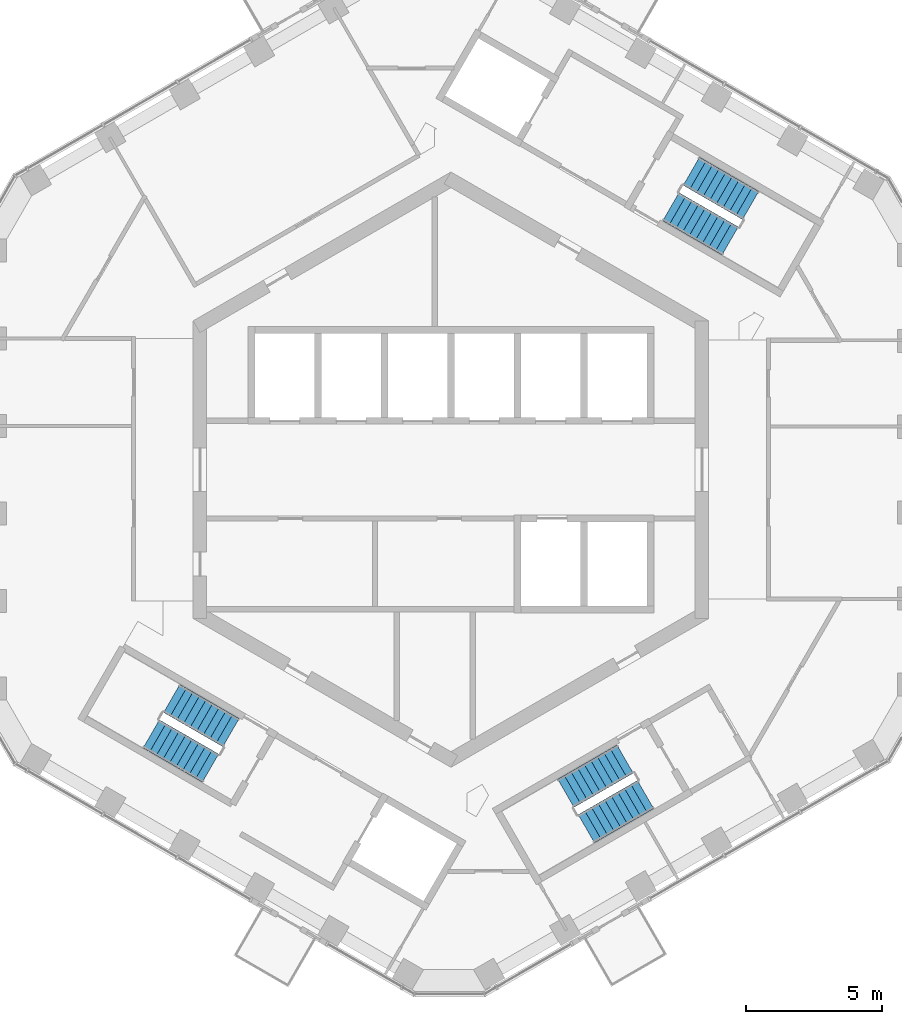
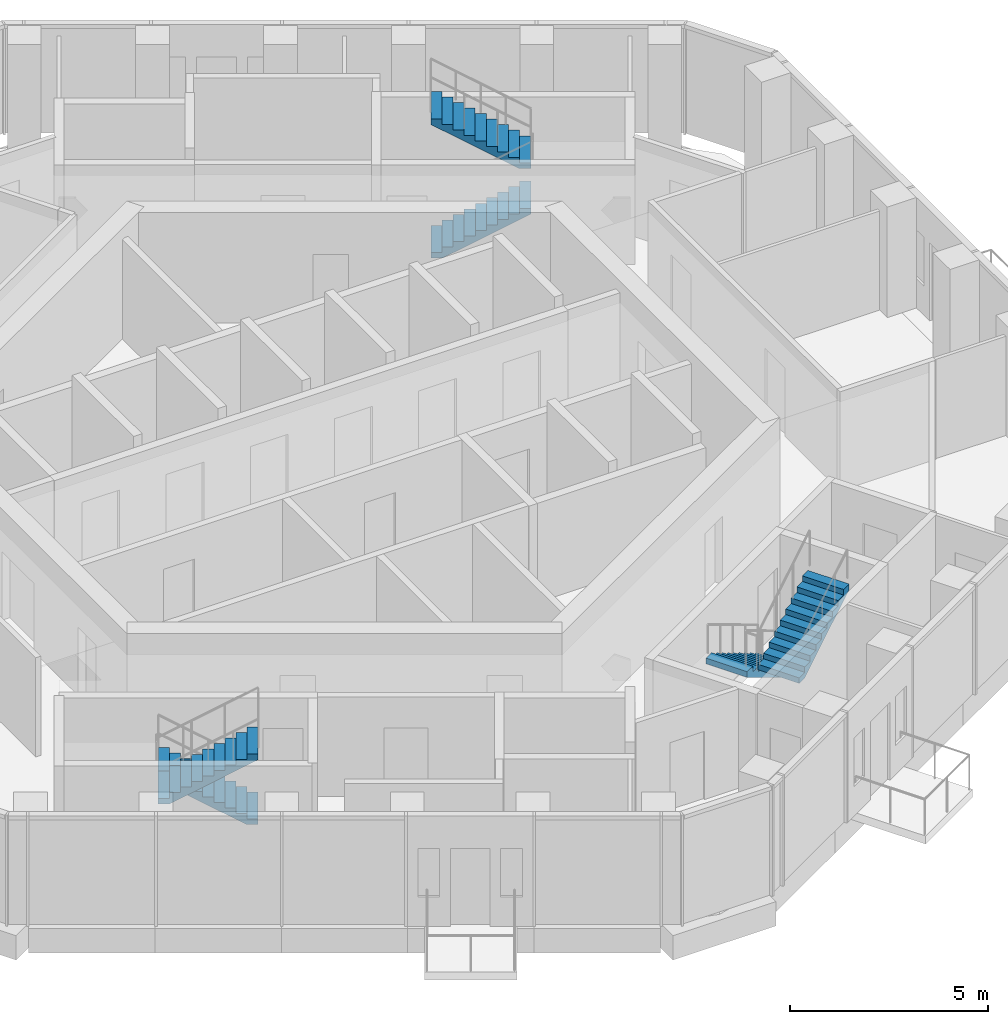
# One storey, part 17 of 19: 6 stair flights, 3 elements without a shape of their own.
"""IFC4 building model written with IfcOpenShell, lengths in metres."""

from ifc_helpers import new_model, si_unit, direction, frame, origin, place, context, subcontext, project, spatial, triangles, material, type_object, element, aggregate, save


model = new_model("IFC4")

# Units and contexts
model_context = context("Model", 3, precision=1e-05, world=origin(), true_north=direction((0.0, 1.0)))
body_context = subcontext(model_context, "Body", "Model", "MODEL_VIEW")
ifc_project = project(units=[si_unit("LENGTHUNIT", "METRE"), si_unit("AREAUNIT", "SQUARE_METRE"), si_unit("VOLUMEUNIT", "CUBIC_METRE"), si_unit("PLANEANGLEUNIT", "RADIAN"), si_unit("MASSUNIT", "GRAM", prefix="KILO")], contexts=[model_context])

# Site, building, storey
site_placement = place(None, origin())
site = spatial("IfcSite", under=ifc_project, at=site_placement, CompositionType="ELEMENT")
building_placement = place(site_placement, origin())
building = spatial("IfcBuilding", under=site, at=building_placement, Name="Ayvan Gate Tower", CompositionType="ELEMENT")
storey_placement = place(building_placement, frame((0.0, 0.0, 222.300048828125)))
storey = spatial("IfcBuildingStorey", under=building, at=storey_placement, Name="L59", CompositionType="ELEMENT", Elevation=222.300048828125)

# Stair, stair flights
ifc_material = material(Name="Concrete C40/50", Category="concrete")
stair_type = type_object("IfcStairType", Name="ST-EXIT", PredefinedType="HALF_TURN_STAIR", material=ifc_material)
stair_1_placement = place(storey_placement, origin())
stair_1 = element("IfcStair", 1, at=stair_1_placement, inside=storey, type_object=stair_type, Name="L59 Exit Stair S1", PredefinedType="HALF_TURN_STAIR")
stair_flight_type = type_object("IfcStairFlightType", Name="SFL-EXIT", PredefinedType="STRAIGHT", material=ifc_material)
stair_flight_1_placement = place(storey_placement, frame((8.106201171875, 9.690185546875, 0.0), z_axis=(0.0, 0.0, 1.0), x_axis=(0.866025403784, -0.5, 0.0)))
stair_flight_1 = element("IfcStairFlight", 2, at=stair_flight_1_placement, type_object=stair_flight_type, Name="STS1 flight 1", NumberOfRisers=10, NumberOfTreads=9, PredefinedType="STRAIGHT", RiserHeight=0.17, TreadLength=0.28, context=body_context, shape_type="Tessellation", body=[
    triangles([(0.288841, -0.599976, 0.0), (2.5205, -0.599976, 1.354936), (2.5205, -0.599976, 1.53), (2.24, -0.599976, 1.53), (2.24, -0.599976, 1.36), (1.96, -0.599976, 1.36), (1.96, -0.599976, 1.19), (1.68, -0.599976, 1.19), (1.68, -0.599976, 1.02), (1.4, -0.599976, 1.02), (1.4, -0.599976, 0.85), (1.12, -0.599976, 0.85), (1.12, -0.599976, 0.68), (0.84, -0.599976, 0.68), (0.84, -0.599976, 0.51), (0.56, -0.599976, 0.51), (0.56, -0.599976, 0.34), (0.28, -0.599976, 0.34), (0.28, -0.599976, 0.17), (-0.0005, -0.599976, 0.17), (-0.0005, -0.599976, 0.0), (0.288841, 0.0, 0.0), (2.5205, 0.0, 1.354936), (2.5205, 0.0, 1.53), (2.24, 0.0, 1.53), (2.24, 0.0, 1.36), (1.96, 0.0, 1.36), (1.96, 0.0, 1.19), (1.68, 0.0, 1.19), (1.68, 0.0, 1.02), (1.4, 0.0, 1.02), (1.4, 0.0, 0.85), (1.12, 0.0, 0.85), (1.12, 0.0, 0.68), (0.84, 0.0, 0.68), (0.84, 0.0, 0.51), (0.56, 0.0, 0.51), (0.56, 0.0, 0.34), (0.28, 0.0, 0.34), (0.28, 0.0, 0.17), (-0.0005, 0.0, 0.17), (-0.0005, 0.0, 0.0), (0.288841, 0.599976, 0.0), (2.5205, 0.599976, 1.354936), (2.5205, 0.599976, 1.53), (2.24, 0.599976, 1.53), (2.24, 0.599976, 1.36), (1.96, 0.599976, 1.36), (1.96, 0.599976, 1.19), (1.68, 0.599976, 1.19), (1.68, 0.599976, 1.02), (1.4, 0.599976, 1.02), (1.4, 0.599976, 0.85), (1.12, 0.599976, 0.85), (1.12, 0.599976, 0.68), (0.84, 0.599976, 0.68), (0.84, 0.599976, 0.51), (0.56, 0.599976, 0.51), (0.56, 0.599976, 0.34), (0.28, 0.599976, 0.34), (0.28, 0.599976, 0.17), (-0.0005, 0.599976, 0.17), (-0.0005, 0.599976, 0.0)], [[21, 1, 2], [63, 44, 43], [2, 3, 4], [44, 46, 45], [2, 4, 5], [44, 47, 46], [2, 5, 6], [44, 48, 47], [2, 6, 7], [44, 49, 48], [7, 8, 9], [49, 51, 50], [2, 7, 9], [44, 51, 49], [9, 10, 11], [51, 53, 52], [2, 9, 11], [44, 53, 51], [11, 12, 13], [53, 55, 54], [2, 11, 13], [44, 55, 53], [13, 14, 15], [55, 57, 56], [2, 13, 15], [44, 57, 55], [15, 16, 17], [57, 59, 58], [2, 15, 17], [44, 59, 57], [17, 18, 19], [59, 61, 60], [2, 17, 19], [44, 61, 59], [21, 2, 19], [63, 61, 44], [19, 20, 21], [61, 63, 62], [1, 22, 23], [1, 23, 2], [43, 23, 22], [43, 44, 23], [2, 23, 24], [2, 24, 3], [44, 24, 23], [44, 45, 24], [3, 24, 25], [3, 25, 4], [45, 25, 24], [45, 46, 25], [4, 25, 26], [4, 26, 5], [46, 26, 25], [46, 47, 26], [5, 26, 27], [5, 27, 6], [47, 27, 26], [47, 48, 27], [6, 27, 28], [6, 28, 7], [48, 28, 27], [48, 49, 28], [7, 28, 29], [7, 29, 8], [49, 29, 28], [49, 50, 29], [8, 29, 30], [8, 30, 9], [50, 30, 29], [50, 51, 30], [9, 30, 31], [9, 31, 10], [51, 31, 30], [51, 52, 31], [10, 31, 32], [10, 32, 11], [52, 32, 31], [52, 53, 32], [11, 32, 33], [11, 33, 12], [53, 33, 32], [53, 54, 33], [12, 33, 34], [12, 34, 13], [54, 34, 33], [54, 55, 34], [13, 34, 35], [13, 35, 14], [55, 35, 34], [55, 56, 35], [14, 35, 36], [14, 36, 15], [56, 36, 35], [56, 57, 36], [15, 36, 37], [15, 37, 16], [57, 37, 36], [57, 58, 37], [16, 37, 38], [16, 38, 17], [58, 38, 37], [58, 59, 38], [17, 38, 39], [17, 39, 18], [59, 39, 38], [59, 60, 39], [18, 39, 40], [18, 40, 19], [60, 40, 39], [60, 61, 40], [19, 40, 41], [19, 41, 20], [61, 41, 40], [61, 62, 41], [20, 41, 42], [20, 42, 21], [62, 42, 41], [62, 63, 42], [21, 42, 22], [21, 22, 1], [63, 22, 42], [63, 43, 22]], closed=True),
])
stair_flight_2_placement = place(storey_placement, frame((11.04345703125, 9.73779296875, 1.699951171875), z_axis=(0.0, 0.0, 1.0), x_axis=(-0.866025403784, 0.5, 0.0)))
stair_flight_2 = element("IfcStairFlight", 3, at=stair_flight_2_placement, type_object=stair_flight_type, Name="STS1 flight 2", NumberOfRisers=10, NumberOfTreads=9, PredefinedType="STRAIGHT", RiserHeight=0.17, TreadLength=0.28, context=body_context, shape_type="Tessellation", body=[
    triangles([(0.288841, -0.599976, 0.0), (2.5205, -0.599976, 1.354936), (2.5205, -0.599976, 1.53), (2.24, -0.599976, 1.53), (2.24, -0.599976, 1.36), (1.96, -0.599976, 1.36), (1.96, -0.599976, 1.19), (1.68, -0.599976, 1.19), (1.68, -0.599976, 1.02), (1.4, -0.599976, 1.02), (1.4, -0.599976, 0.85), (1.12, -0.599976, 0.85), (1.12, -0.599976, 0.68), (0.84, -0.599976, 0.68), (0.84, -0.599976, 0.51), (0.56, -0.599976, 0.51), (0.56, -0.599976, 0.34), (0.28, -0.599976, 0.34), (0.28, -0.599976, 0.17), (-0.0005, -0.599976, 0.17), (-0.0005, -0.599976, 0.0), (0.288841, 0.0, 0.0), (2.5205, 0.0, 1.354936), (2.5205, 0.0, 1.53), (2.24, 0.0, 1.53), (2.24, 0.0, 1.36), (1.96, 0.0, 1.36), (1.96, 0.0, 1.19), (1.68, 0.0, 1.19), (1.68, 0.0, 1.02), (1.4, 0.0, 1.02), (1.4, 0.0, 0.85), (1.12, 0.0, 0.85), (1.12, 0.0, 0.68), (0.84, 0.0, 0.68), (0.84, 0.0, 0.51), (0.56, 0.0, 0.51), (0.56, 0.0, 0.34), (0.28, 0.0, 0.34), (0.28, 0.0, 0.17), (-0.0005, 0.0, 0.17), (-0.0005, 0.0, 0.0), (0.288841, 0.599976, 0.0), (2.5205, 0.599976, 1.354936), (2.5205, 0.599976, 1.53), (2.24, 0.599976, 1.53), (2.24, 0.599976, 1.36), (1.96, 0.599976, 1.36), (1.96, 0.599976, 1.19), (1.68, 0.599976, 1.19), (1.68, 0.599976, 1.02), (1.4, 0.599976, 1.02), (1.4, 0.599976, 0.85), (1.12, 0.599976, 0.85), (1.12, 0.599976, 0.68), (0.84, 0.599976, 0.68), (0.84, 0.599976, 0.51), (0.56, 0.599976, 0.51), (0.56, 0.599976, 0.34), (0.28, 0.599976, 0.34), (0.28, 0.599976, 0.17), (-0.0005, 0.599976, 0.17), (-0.0005, 0.599976, 0.0)], [[21, 1, 2], [63, 44, 43], [2, 3, 4], [44, 46, 45], [2, 4, 5], [44, 47, 46], [2, 5, 6], [44, 48, 47], [2, 6, 7], [44, 49, 48], [7, 8, 9], [49, 51, 50], [2, 7, 9], [44, 51, 49], [9, 10, 11], [51, 53, 52], [2, 9, 11], [44, 53, 51], [11, 12, 13], [53, 55, 54], [2, 11, 13], [44, 55, 53], [13, 14, 15], [55, 57, 56], [2, 13, 15], [44, 57, 55], [15, 16, 17], [57, 59, 58], [2, 15, 17], [44, 59, 57], [17, 18, 19], [59, 61, 60], [2, 17, 19], [44, 61, 59], [21, 2, 19], [63, 61, 44], [19, 20, 21], [61, 63, 62], [1, 22, 23], [1, 23, 2], [43, 23, 22], [43, 44, 23], [2, 23, 24], [2, 24, 3], [44, 24, 23], [44, 45, 24], [3, 24, 25], [3, 25, 4], [45, 25, 24], [45, 46, 25], [4, 25, 26], [4, 26, 5], [46, 26, 25], [46, 47, 26], [5, 26, 27], [5, 27, 6], [47, 27, 26], [47, 48, 27], [6, 27, 28], [6, 28, 7], [48, 28, 27], [48, 49, 28], [7, 28, 29], [7, 29, 8], [49, 29, 28], [49, 50, 29], [8, 29, 30], [8, 30, 9], [50, 30, 29], [50, 51, 30], [9, 30, 31], [9, 31, 10], [51, 31, 30], [51, 52, 31], [10, 31, 32], [10, 32, 11], [52, 32, 31], [52, 53, 32], [11, 32, 33], [11, 33, 12], [53, 33, 32], [53, 54, 33], [12, 33, 34], [12, 34, 13], [54, 34, 33], [54, 55, 34], [13, 34, 35], [13, 35, 14], [55, 35, 34], [55, 56, 35], [14, 35, 36], [14, 36, 15], [56, 36, 35], [56, 57, 36], [15, 36, 37], [15, 37, 16], [57, 37, 36], [57, 58, 37], [16, 37, 38], [16, 38, 17], [58, 38, 37], [58, 59, 38], [17, 38, 39], [17, 39, 18], [59, 39, 38], [59, 60, 39], [18, 39, 40], [18, 40, 19], [60, 40, 39], [60, 61, 40], [19, 40, 41], [19, 41, 20], [61, 41, 40], [61, 62, 41], [20, 41, 42], [20, 42, 21], [62, 42, 41], [62, 63, 42], [21, 42, 22], [21, 22, 1], [63, 22, 42], [63, 43, 22]], closed=True),
])
aggregate(stair_1, [stair_flight_1, stair_flight_2])

stair_2_placement = place(storey_placement, origin())
stair_2 = element("IfcStair", 4, at=stair_2_placement, inside=storey, type_object=stair_type, Name="L59 Exit Stair S2", PredefinedType="HALF_TURN_STAIR")
stair_flight_3_placement = place(storey_placement, frame((-8.106201171875, -9.690185546875, 0.0), z_axis=(0.0, 0.0, 1.0), x_axis=(-0.866025403784, 0.5, 0.0)))
stair_flight_3 = element("IfcStairFlight", 5, at=stair_flight_3_placement, type_object=stair_flight_type, Name="STS2 flight 1", NumberOfRisers=10, NumberOfTreads=9, PredefinedType="STRAIGHT", RiserHeight=0.17, TreadLength=0.28, context=body_context, shape_type="Tessellation", body=[
    triangles([(0.288841, -0.599976, 0.0), (2.5205, -0.599976, 1.354936), (2.5205, -0.599976, 1.53), (2.24, -0.599976, 1.53), (2.24, -0.599976, 1.36), (1.96, -0.599976, 1.36), (1.96, -0.599976, 1.19), (1.68, -0.599976, 1.19), (1.68, -0.599976, 1.02), (1.4, -0.599976, 1.02), (1.4, -0.599976, 0.85), (1.12, -0.599976, 0.85), (1.12, -0.599976, 0.68), (0.84, -0.599976, 0.68), (0.84, -0.599976, 0.51), (0.56, -0.599976, 0.51), (0.56, -0.599976, 0.34), (0.28, -0.599976, 0.34), (0.28, -0.599976, 0.17), (-0.0005, -0.599976, 0.17), (-0.0005, -0.599976, 0.0), (0.288841, 0.0, 0.0), (2.5205, 0.0, 1.354936), (2.5205, 0.0, 1.53), (2.24, 0.0, 1.53), (2.24, 0.0, 1.36), (1.96, 0.0, 1.36), (1.96, 0.0, 1.19), (1.68, 0.0, 1.19), (1.68, 0.0, 1.02), (1.4, 0.0, 1.02), (1.4, 0.0, 0.85), (1.12, 0.0, 0.85), (1.12, 0.0, 0.68), (0.84, 0.0, 0.68), (0.84, 0.0, 0.51), (0.56, 0.0, 0.51), (0.56, 0.0, 0.34), (0.28, 0.0, 0.34), (0.28, 0.0, 0.17), (-0.0005, 0.0, 0.17), (-0.0005, 0.0, 0.0), (0.288841, 0.599976, 0.0), (2.5205, 0.599976, 1.354936), (2.5205, 0.599976, 1.53), (2.24, 0.599976, 1.53), (2.24, 0.599976, 1.36), (1.96, 0.599976, 1.36), (1.96, 0.599976, 1.19), (1.68, 0.599976, 1.19), (1.68, 0.599976, 1.02), (1.4, 0.599976, 1.02), (1.4, 0.599976, 0.85), (1.12, 0.599976, 0.85), (1.12, 0.599976, 0.68), (0.84, 0.599976, 0.68), (0.84, 0.599976, 0.51), (0.56, 0.599976, 0.51), (0.56, 0.599976, 0.34), (0.28, 0.599976, 0.34), (0.28, 0.599976, 0.17), (-0.0005, 0.599976, 0.17), (-0.0005, 0.599976, 0.0)], [[21, 1, 2], [63, 44, 43], [2, 3, 4], [44, 46, 45], [2, 4, 5], [44, 47, 46], [2, 5, 6], [44, 48, 47], [2, 6, 7], [44, 49, 48], [7, 8, 9], [49, 51, 50], [2, 7, 9], [44, 51, 49], [9, 10, 11], [51, 53, 52], [2, 9, 11], [44, 53, 51], [11, 12, 13], [53, 55, 54], [2, 11, 13], [44, 55, 53], [13, 14, 15], [55, 57, 56], [2, 13, 15], [44, 57, 55], [15, 16, 17], [57, 59, 58], [2, 15, 17], [44, 59, 57], [17, 18, 19], [59, 61, 60], [2, 17, 19], [44, 61, 59], [21, 2, 19], [63, 61, 44], [19, 20, 21], [61, 63, 62], [1, 22, 23], [1, 23, 2], [43, 23, 22], [43, 44, 23], [2, 23, 24], [2, 24, 3], [44, 24, 23], [44, 45, 24], [3, 24, 25], [3, 25, 4], [45, 25, 24], [45, 46, 25], [4, 25, 26], [4, 26, 5], [46, 26, 25], [46, 47, 26], [5, 26, 27], [5, 27, 6], [47, 27, 26], [47, 48, 27], [6, 27, 28], [6, 28, 7], [48, 28, 27], [48, 49, 28], [7, 28, 29], [7, 29, 8], [49, 29, 28], [49, 50, 29], [8, 29, 30], [8, 30, 9], [50, 30, 29], [50, 51, 30], [9, 30, 31], [9, 31, 10], [51, 31, 30], [51, 52, 31], [10, 31, 32], [10, 32, 11], [52, 32, 31], [52, 53, 32], [11, 32, 33], [11, 33, 12], [53, 33, 32], [53, 54, 33], [12, 33, 34], [12, 34, 13], [54, 34, 33], [54, 55, 34], [13, 34, 35], [13, 35, 14], [55, 35, 34], [55, 56, 35], [14, 35, 36], [14, 36, 15], [56, 36, 35], [56, 57, 36], [15, 36, 37], [15, 37, 16], [57, 37, 36], [57, 58, 37], [16, 37, 38], [16, 38, 17], [58, 38, 37], [58, 59, 38], [17, 38, 39], [17, 39, 18], [59, 39, 38], [59, 60, 39], [18, 39, 40], [18, 40, 19], [60, 40, 39], [60, 61, 40], [19, 40, 41], [19, 41, 20], [61, 41, 40], [61, 62, 41], [20, 41, 42], [20, 42, 21], [62, 42, 41], [62, 63, 42], [21, 42, 22], [21, 22, 1], [63, 22, 42], [63, 43, 22]], closed=True),
])
stair_flight_4_placement = place(storey_placement, frame((-11.04345703125, -9.73779296875, 1.699951171875), z_axis=(0.0, 0.0, 1.0), x_axis=(0.866025403784, -0.5, 0.0)))
stair_flight_4 = element("IfcStairFlight", 6, at=stair_flight_4_placement, type_object=stair_flight_type, Name="STS2 flight 2", NumberOfRisers=10, NumberOfTreads=9, PredefinedType="STRAIGHT", RiserHeight=0.17, TreadLength=0.28, context=body_context, shape_type="Tessellation", body=[
    triangles([(0.288841, -0.599976, 0.0), (2.5205, -0.599976, 1.354936), (2.5205, -0.599976, 1.53), (2.24, -0.599976, 1.53), (2.24, -0.599976, 1.36), (1.96, -0.599976, 1.36), (1.96, -0.599976, 1.19), (1.68, -0.599976, 1.19), (1.68, -0.599976, 1.02), (1.4, -0.599976, 1.02), (1.4, -0.599976, 0.85), (1.12, -0.599976, 0.85), (1.12, -0.599976, 0.68), (0.84, -0.599976, 0.68), (0.84, -0.599976, 0.51), (0.56, -0.599976, 0.51), (0.56, -0.599976, 0.34), (0.28, -0.599976, 0.34), (0.28, -0.599976, 0.17), (-0.0005, -0.599976, 0.17), (-0.0005, -0.599976, 0.0), (0.288841, 0.0, 0.0), (2.5205, 0.0, 1.354936), (2.5205, 0.0, 1.53), (2.24, 0.0, 1.53), (2.24, 0.0, 1.36), (1.96, 0.0, 1.36), (1.96, 0.0, 1.19), (1.68, 0.0, 1.19), (1.68, 0.0, 1.02), (1.4, 0.0, 1.02), (1.4, 0.0, 0.85), (1.12, 0.0, 0.85), (1.12, 0.0, 0.68), (0.84, 0.0, 0.68), (0.84, 0.0, 0.51), (0.56, 0.0, 0.51), (0.56, 0.0, 0.34), (0.28, 0.0, 0.34), (0.28, 0.0, 0.17), (-0.0005, 0.0, 0.17), (-0.0005, 0.0, 0.0), (0.288841, 0.599976, 0.0), (2.5205, 0.599976, 1.354936), (2.5205, 0.599976, 1.53), (2.24, 0.599976, 1.53), (2.24, 0.599976, 1.36), (1.96, 0.599976, 1.36), (1.96, 0.599976, 1.19), (1.68, 0.599976, 1.19), (1.68, 0.599976, 1.02), (1.4, 0.599976, 1.02), (1.4, 0.599976, 0.85), (1.12, 0.599976, 0.85), (1.12, 0.599976, 0.68), (0.84, 0.599976, 0.68), (0.84, 0.599976, 0.51), (0.56, 0.599976, 0.51), (0.56, 0.599976, 0.34), (0.28, 0.599976, 0.34), (0.28, 0.599976, 0.17), (-0.0005, 0.599976, 0.17), (-0.0005, 0.599976, 0.0)], [[21, 1, 2], [63, 44, 43], [2, 3, 4], [44, 46, 45], [2, 4, 5], [44, 47, 46], [2, 5, 6], [44, 48, 47], [2, 6, 7], [44, 49, 48], [7, 8, 9], [49, 51, 50], [2, 7, 9], [44, 51, 49], [9, 10, 11], [51, 53, 52], [2, 9, 11], [44, 53, 51], [11, 12, 13], [53, 55, 54], [2, 11, 13], [44, 55, 53], [13, 14, 15], [55, 57, 56], [2, 13, 15], [44, 57, 55], [15, 16, 17], [57, 59, 58], [2, 15, 17], [44, 59, 57], [17, 18, 19], [59, 61, 60], [2, 17, 19], [44, 61, 59], [21, 2, 19], [63, 61, 44], [19, 20, 21], [61, 63, 62], [1, 22, 23], [1, 23, 2], [43, 23, 22], [43, 44, 23], [2, 23, 24], [2, 24, 3], [44, 24, 23], [44, 45, 24], [3, 24, 25], [3, 25, 4], [45, 25, 24], [45, 46, 25], [4, 25, 26], [4, 26, 5], [46, 26, 25], [46, 47, 26], [5, 26, 27], [5, 27, 6], [47, 27, 26], [47, 48, 27], [6, 27, 28], [6, 28, 7], [48, 28, 27], [48, 49, 28], [7, 28, 29], [7, 29, 8], [49, 29, 28], [49, 50, 29], [8, 29, 30], [8, 30, 9], [50, 30, 29], [50, 51, 30], [9, 30, 31], [9, 31, 10], [51, 31, 30], [51, 52, 31], [10, 31, 32], [10, 32, 11], [52, 32, 31], [52, 53, 32], [11, 32, 33], [11, 33, 12], [53, 33, 32], [53, 54, 33], [12, 33, 34], [12, 34, 13], [54, 34, 33], [54, 55, 34], [13, 34, 35], [13, 35, 14], [55, 35, 34], [55, 56, 35], [14, 35, 36], [14, 36, 15], [56, 36, 35], [56, 57, 36], [15, 36, 37], [15, 37, 16], [57, 37, 36], [57, 58, 37], [16, 37, 38], [16, 38, 17], [58, 38, 37], [58, 59, 38], [17, 38, 39], [17, 39, 18], [59, 39, 38], [59, 60, 39], [18, 39, 40], [18, 40, 19], [60, 40, 39], [60, 61, 40], [19, 40, 41], [19, 41, 20], [61, 41, 40], [61, 62, 41], [20, 41, 42], [20, 42, 21], [62, 42, 41], [62, 63, 42], [21, 42, 22], [21, 22, 1], [63, 22, 42], [63, 43, 22]], closed=True),
])
aggregate(stair_2, [stair_flight_3, stair_flight_4])

stair_3_placement = place(storey_placement, origin())
stair_3 = element("IfcStair", 7, at=stair_3_placement, inside=storey, type_object=stair_type, Name="L59 Exit Stair S3", PredefinedType="HALF_TURN_STAIR")
stair_flight_5_placement = place(storey_placement, frame((6.417236328125, -10.665283203125, 0.0), z_axis=(0.0, 0.0, 1.0), x_axis=(-0.866025403784, -0.5, 0.0)))
stair_flight_5 = element("IfcStairFlight", 8, at=stair_flight_5_placement, type_object=stair_flight_type, Name="STS3 flight 1", NumberOfRisers=10, NumberOfTreads=9, PredefinedType="STRAIGHT", RiserHeight=0.17, TreadLength=0.28, context=body_context, shape_type="Tessellation", body=[
    triangles([(0.288841, -0.599976, 0.0), (2.5205, -0.599976, 1.354936), (2.5205, -0.599976, 1.53), (2.24, -0.599976, 1.53), (2.24, -0.599976, 1.36), (1.96, -0.599976, 1.36), (1.96, -0.599976, 1.19), (1.68, -0.599976, 1.19), (1.68, -0.599976, 1.02), (1.4, -0.599976, 1.02), (1.4, -0.599976, 0.85), (1.12, -0.599976, 0.85), (1.12, -0.599976, 0.68), (0.84, -0.599976, 0.68), (0.84, -0.599976, 0.51), (0.56, -0.599976, 0.51), (0.56, -0.599976, 0.34), (0.28, -0.599976, 0.34), (0.28, -0.599976, 0.17), (-0.0005, -0.599976, 0.17), (-0.0005, -0.599976, 0.0), (0.288841, 0.0, 0.0), (2.5205, 0.0, 1.354936), (2.5205, 0.0, 1.53), (2.24, 0.0, 1.53), (2.24, 0.0, 1.36), (1.96, 0.0, 1.36), (1.96, 0.0, 1.19), (1.68, 0.0, 1.19), (1.68, 0.0, 1.02), (1.4, 0.0, 1.02), (1.4, 0.0, 0.85), (1.12, 0.0, 0.85), (1.12, 0.0, 0.68), (0.84, 0.0, 0.68), (0.84, 0.0, 0.51), (0.56, 0.0, 0.51), (0.56, 0.0, 0.34), (0.28, 0.0, 0.34), (0.28, 0.0, 0.17), (-0.0005, 0.0, 0.17), (-0.0005, 0.0, 0.0), (0.288841, 0.599976, 0.0), (2.5205, 0.599976, 1.354936), (2.5205, 0.599976, 1.53), (2.24, 0.599976, 1.53), (2.24, 0.599976, 1.36), (1.96, 0.599976, 1.36), (1.96, 0.599976, 1.19), (1.68, 0.599976, 1.19), (1.68, 0.599976, 1.02), (1.4, 0.599976, 1.02), (1.4, 0.599976, 0.85), (1.12, 0.599976, 0.85), (1.12, 0.599976, 0.68), (0.84, 0.599976, 0.68), (0.84, 0.599976, 0.51), (0.56, 0.599976, 0.51), (0.56, 0.599976, 0.34), (0.28, 0.599976, 0.34), (0.28, 0.599976, 0.17), (-0.0005, 0.599976, 0.17), (-0.0005, 0.599976, 0.0)], [[21, 1, 2], [63, 44, 43], [2, 3, 4], [44, 46, 45], [2, 4, 5], [44, 47, 46], [2, 5, 6], [44, 48, 47], [2, 6, 7], [44, 49, 48], [7, 8, 9], [49, 51, 50], [2, 7, 9], [44, 51, 49], [9, 10, 11], [51, 53, 52], [2, 9, 11], [44, 53, 51], [11, 12, 13], [53, 55, 54], [2, 11, 13], [44, 55, 53], [13, 14, 15], [55, 57, 56], [2, 13, 15], [44, 57, 55], [15, 16, 17], [57, 59, 58], [2, 15, 17], [44, 59, 57], [17, 18, 19], [59, 61, 60], [2, 17, 19], [44, 61, 59], [21, 2, 19], [63, 61, 44], [19, 20, 21], [61, 63, 62], [1, 22, 23], [1, 23, 2], [43, 23, 22], [43, 44, 23], [2, 23, 24], [2, 24, 3], [44, 24, 23], [44, 45, 24], [3, 24, 25], [3, 25, 4], [45, 25, 24], [45, 46, 25], [4, 25, 26], [4, 26, 5], [46, 26, 25], [46, 47, 26], [5, 26, 27], [5, 27, 6], [47, 27, 26], [47, 48, 27], [6, 27, 28], [6, 28, 7], [48, 28, 27], [48, 49, 28], [7, 28, 29], [7, 29, 8], [49, 29, 28], [49, 50, 29], [8, 29, 30], [8, 30, 9], [50, 30, 29], [50, 51, 30], [9, 30, 31], [9, 31, 10], [51, 31, 30], [51, 52, 31], [10, 31, 32], [10, 32, 11], [52, 32, 31], [52, 53, 32], [11, 32, 33], [11, 33, 12], [53, 33, 32], [53, 54, 33], [12, 33, 34], [12, 34, 13], [54, 34, 33], [54, 55, 34], [13, 34, 35], [13, 35, 14], [55, 35, 34], [55, 56, 35], [14, 35, 36], [14, 36, 15], [56, 36, 35], [56, 57, 36], [15, 36, 37], [15, 37, 16], [57, 37, 36], [57, 58, 37], [16, 37, 38], [16, 38, 17], [58, 38, 37], [58, 59, 38], [17, 38, 39], [17, 39, 18], [59, 39, 38], [59, 60, 39], [18, 39, 40], [18, 40, 19], [60, 40, 39], [60, 61, 40], [19, 40, 41], [19, 41, 20], [61, 41, 40], [61, 62, 41], [20, 41, 42], [20, 42, 21], [62, 42, 41], [62, 63, 42], [21, 42, 22], [21, 22, 1], [63, 22, 42], [63, 43, 22]], closed=True),
])
stair_flight_6_placement = place(storey_placement, frame((4.989990234375, -13.23291015625, 1.699951171875), z_axis=(0.0, 0.0, 1.0), x_axis=(0.866025403784, 0.5, 0.0)))
stair_flight_6 = element("IfcStairFlight", 9, at=stair_flight_6_placement, type_object=stair_flight_type, Name="STS3 flight 2", NumberOfRisers=10, NumberOfTreads=9, PredefinedType="STRAIGHT", RiserHeight=0.17, TreadLength=0.28, context=body_context, shape_type="Tessellation", body=[
    triangles([(0.288841, -0.599976, 0.0), (2.5205, -0.599976, 1.354936), (2.5205, -0.599976, 1.53), (2.24, -0.599976, 1.53), (2.24, -0.599976, 1.36), (1.96, -0.599976, 1.36), (1.96, -0.599976, 1.19), (1.68, -0.599976, 1.19), (1.68, -0.599976, 1.02), (1.4, -0.599976, 1.02), (1.4, -0.599976, 0.85), (1.12, -0.599976, 0.85), (1.12, -0.599976, 0.68), (0.84, -0.599976, 0.68), (0.84, -0.599976, 0.51), (0.56, -0.599976, 0.51), (0.56, -0.599976, 0.34), (0.28, -0.599976, 0.34), (0.28, -0.599976, 0.17), (-0.0005, -0.599976, 0.17), (-0.0005, -0.599976, 0.0), (0.288841, 0.0, 0.0), (2.5205, 0.0, 1.354936), (2.5205, 0.0, 1.53), (2.24, 0.0, 1.53), (2.24, 0.0, 1.36), (1.96, 0.0, 1.36), (1.96, 0.0, 1.19), (1.68, 0.0, 1.19), (1.68, 0.0, 1.02), (1.4, 0.0, 1.02), (1.4, 0.0, 0.85), (1.12, 0.0, 0.85), (1.12, 0.0, 0.68), (0.84, 0.0, 0.68), (0.84, 0.0, 0.51), (0.56, 0.0, 0.51), (0.56, 0.0, 0.34), (0.28, 0.0, 0.34), (0.28, 0.0, 0.17), (-0.0005, 0.0, 0.17), (-0.0005, 0.0, 0.0), (0.288841, 0.599976, 0.0), (2.5205, 0.599976, 1.354936), (2.5205, 0.599976, 1.53), (2.24, 0.599976, 1.53), (2.24, 0.599976, 1.36), (1.96, 0.599976, 1.36), (1.96, 0.599976, 1.19), (1.68, 0.599976, 1.19), (1.68, 0.599976, 1.02), (1.4, 0.599976, 1.02), (1.4, 0.599976, 0.85), (1.12, 0.599976, 0.85), (1.12, 0.599976, 0.68), (0.84, 0.599976, 0.68), (0.84, 0.599976, 0.51), (0.56, 0.599976, 0.51), (0.56, 0.599976, 0.34), (0.28, 0.599976, 0.34), (0.28, 0.599976, 0.17), (-0.0005, 0.599976, 0.17), (-0.0005, 0.599976, 0.0)], [[21, 1, 2], [63, 44, 43], [2, 3, 4], [44, 46, 45], [2, 4, 5], [44, 47, 46], [2, 5, 6], [44, 48, 47], [2, 6, 7], [44, 49, 48], [7, 8, 9], [49, 51, 50], [2, 7, 9], [44, 51, 49], [9, 10, 11], [51, 53, 52], [2, 9, 11], [44, 53, 51], [11, 12, 13], [53, 55, 54], [2, 11, 13], [44, 55, 53], [13, 14, 15], [55, 57, 56], [2, 13, 15], [44, 57, 55], [15, 16, 17], [57, 59, 58], [2, 15, 17], [44, 59, 57], [17, 18, 19], [59, 61, 60], [2, 17, 19], [44, 61, 59], [21, 2, 19], [63, 61, 44], [19, 20, 21], [61, 63, 62], [1, 22, 23], [1, 23, 2], [43, 23, 22], [43, 44, 23], [2, 23, 24], [2, 24, 3], [44, 24, 23], [44, 45, 24], [3, 24, 25], [3, 25, 4], [45, 25, 24], [45, 46, 25], [4, 25, 26], [4, 26, 5], [46, 26, 25], [46, 47, 26], [5, 26, 27], [5, 27, 6], [47, 27, 26], [47, 48, 27], [6, 27, 28], [6, 28, 7], [48, 28, 27], [48, 49, 28], [7, 28, 29], [7, 29, 8], [49, 29, 28], [49, 50, 29], [8, 29, 30], [8, 30, 9], [50, 30, 29], [50, 51, 30], [9, 30, 31], [9, 31, 10], [51, 31, 30], [51, 52, 31], [10, 31, 32], [10, 32, 11], [52, 32, 31], [52, 53, 32], [11, 32, 33], [11, 33, 12], [53, 33, 32], [53, 54, 33], [12, 33, 34], [12, 34, 13], [54, 34, 33], [54, 55, 34], [13, 34, 35], [13, 35, 14], [55, 35, 34], [55, 56, 35], [14, 35, 36], [14, 36, 15], [56, 36, 35], [56, 57, 36], [15, 36, 37], [15, 37, 16], [57, 37, 36], [57, 58, 37], [16, 37, 38], [16, 38, 17], [58, 38, 37], [58, 59, 38], [17, 38, 39], [17, 39, 18], [59, 39, 38], [59, 60, 39], [18, 39, 40], [18, 40, 19], [60, 40, 39], [60, 61, 40], [19, 40, 41], [19, 41, 20], [61, 41, 40], [61, 62, 41], [20, 41, 42], [20, 42, 21], [62, 42, 41], [62, 63, 42], [21, 42, 22], [21, 22, 1], [63, 22, 42], [63, 43, 22]], closed=True),
])
aggregate(stair_3, [stair_flight_5, stair_flight_6])

save(model, "model.ifc")
